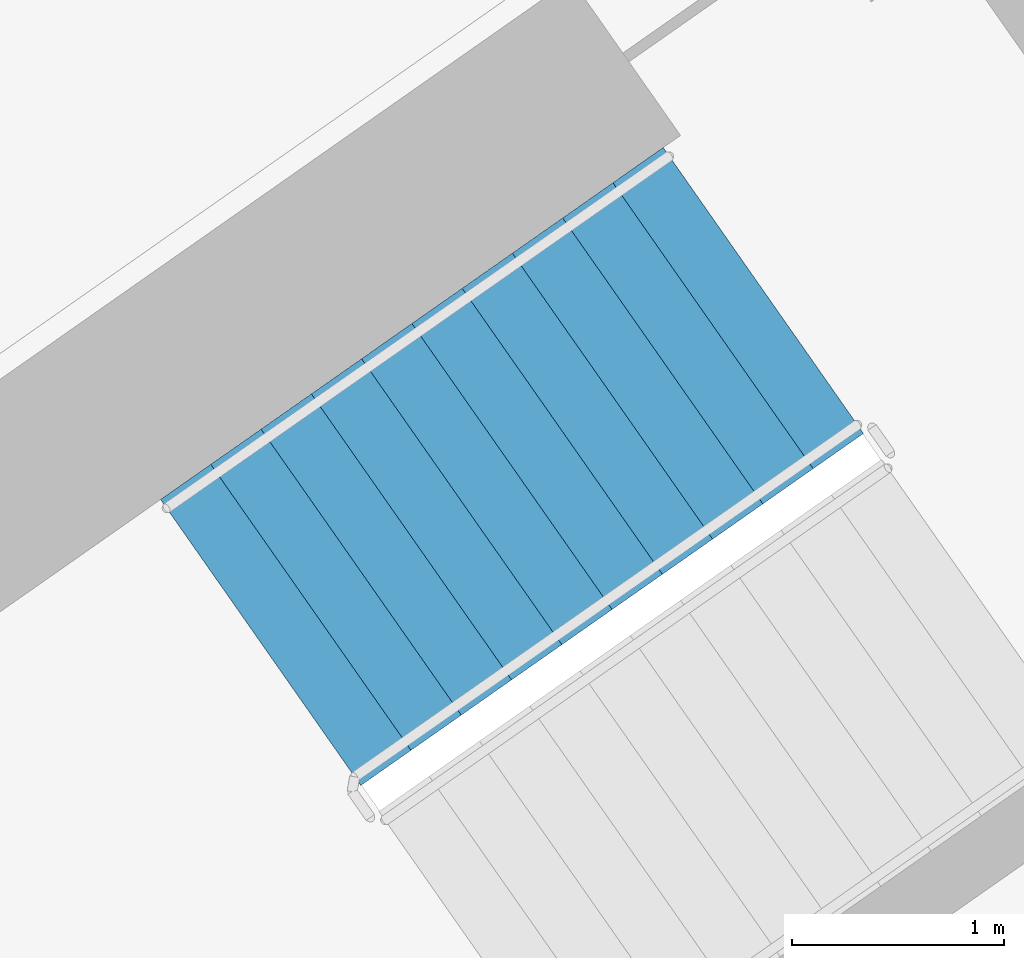
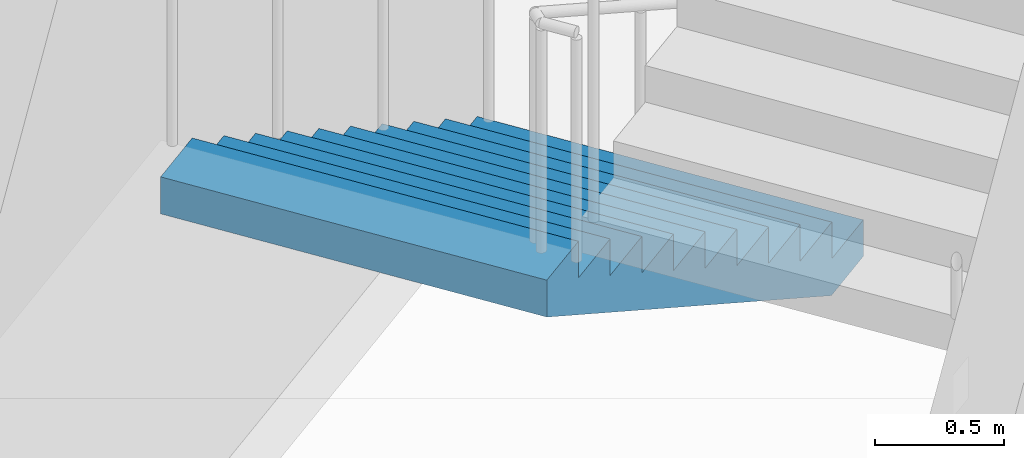
# One storey, part 15 of 30: 1 stair flight, 1 element without a shape of its own.
"""IFC4 building model written with IfcOpenShell, lengths in metres."""

import ifcopenshell
import ifcopenshell.guid

model = None  # the IFC model being written
_history = None  # IfcOwnerHistory: only IFC2X3 demands one
_inside = {}  # id of a spatial element -> (the spatial element, [elements in it])
_under = {}  # id of a project, library or spatial element -> (it, [spatial elements below it])
_declared = {}  # id of a project -> (the project, [libraries it declares])
_typed = {}  # id of a type object -> (the type object, [elements of that type])
_made_of = {}  # id of a material, layer set ... -> (it, [elements and type objects made of it])


def new_model(schema):
    """Start an empty IFC model of exactly this schema.

    Asked for "IFC4X3", IfcOpenShell would pick the latest addendum, in which some entities
    have other attributes; the version numbers below select the first issue.
    IFC2X3 requires an IfcOwnerHistory on every rooted entity: one is made here for all.
    """
    global model, _history
    if schema == "IFC4X3":
        model = ifcopenshell.file(schema_version=(4, 3, 0, 0))
    else:
        model = ifcopenshell.file(schema=schema)
    _inside.clear()
    _under.clear()
    _declared.clear()
    _typed.clear()
    _made_of.clear()
    _history = None
    if model.schema == "IFC2X3":
        org = make("IfcOrganization", Name="unknown")
        user = make(
            "IfcPersonAndOrganization",
            ThePerson=make("IfcPerson", FamilyName="unknown"),
            TheOrganization=org,
        )
        app = make(
            "IfcApplication",
            ApplicationDeveloper=org,
            Version="unknown",
            ApplicationFullName="unknown",
            ApplicationIdentifier="unknown",
        )
        _history = make(
            "IfcOwnerHistory",
            OwningUser=user,
            OwningApplication=app,
            ChangeAction="ADDED",
            CreationDate=0,
        )
    return model


def make(cls, **values):
    """One entity of the class cls with the attributes given. An attribute that is None is left unset."""
    return model.create_entity(
        cls, **{name: value for name, value in values.items() if value is not None}
    )


def rooted(cls, **values):
    """An entity with a GlobalId (a new one), such as an element, a storey or a relation."""
    return make(cls, GlobalId=ifcopenshell.guid.new(), OwnerHistory=_history, **values)


def si_unit(unit_type, name, prefix=None):
    """IfcSIUnit, for example si_unit("LENGTHUNIT", "METRE", prefix="MILLI")."""
    return make("IfcSIUnit", UnitType=unit_type, Prefix=prefix, Name=name)


def assignment(units):
    """IfcUnitAssignment: the units of a project."""
    return None if units is None else make("IfcUnitAssignment", Units=units)


def point(xyz):
    """IfcCartesianPoint."""
    return None if xyz is None else make("IfcCartesianPoint", Coordinates=xyz)


def direction(xyz):
    """IfcDirection."""
    return None if xyz is None else make("IfcDirection", DirectionRatios=xyz)


def frame(location, z_axis=None, x_axis=None):
    """IfcAxis2Placement3D, a coordinate frame: its origin and axes. An axis left out is left unset."""
    return make(
        "IfcAxis2Placement3D",
        Location=point(location),
        Axis=direction(z_axis),
        RefDirection=direction(x_axis),
    )


def origin():
    """The frame at (0, 0, 0) with its axes left unset."""
    return frame((0.0, 0.0, 0.0))


def place(relative_to, where):
    """IfcLocalPlacement: puts the frame where relative to a parent placement (None: the world)."""
    return make(
        "IfcLocalPlacement", PlacementRelTo=relative_to, RelativePlacement=where
    )


def context(
    kind, dimensions, precision=None, world=None, true_north=None, identifier=None
):
    """IfcGeometricRepresentationContext, for example the 3D "Model" context."""
    return make(
        "IfcGeometricRepresentationContext",
        ContextIdentifier=identifier,
        ContextType=kind,
        CoordinateSpaceDimension=dimensions,
        Precision=precision,
        WorldCoordinateSystem=world,
        TrueNorth=true_north,
    )


def subcontext(parent, identifier, kind, view, scale=None):
    """IfcGeometricRepresentationSubContext, for example "Body" below "Model"."""
    return make(
        "IfcGeometricRepresentationSubContext",
        ContextIdentifier=identifier,
        ContextType=kind,
        ParentContext=parent,
        TargetScale=scale,
        TargetView=view,
    )


def project(units=None, contexts=None):
    """IfcProject with its units and contexts."""
    return rooted(
        "IfcProject",
        Name="project",
        RepresentationContexts=contexts,
        UnitsInContext=assignment(units),
    )


def spatial(cls, under=None, at=None, **own):
    """A site, building, storey or space (cls), placed at a placement, below another one or the project."""
    s = rooted(cls, ObjectPlacement=at, **own)
    if under is not None:
        _under.setdefault(under.id(), (under, []))[1].append(s)
    return s


def faces_of(points, faces, orient=None, outer=None):
    """IfcFace entities. A face is a list of loops; a loop is a list of indices into points, from 0.

    orient and outer hold one flag for each loop. By default every Orientation is true, the
    first loop of a face is its IfcFaceOuterBound and the others are IfcFaceBound.
    """
    made = []
    for i, loops in enumerate(faces):
        bounds = []
        for j, loop in enumerate(loops):
            is_outer = j == 0 if outer is None else outer[i][j]
            bounds.append(
                make(
                    "IfcFaceOuterBound" if is_outer else "IfcFaceBound",
                    Bound=make("IfcPolyLoop", Polygon=[points[k] for k in loop]),
                    Orientation=True if orient is None else orient[i][j],
                )
            )
        made.append(make("IfcFace", Bounds=bounds))
    return made


def faceted_brep(points, faces, orient=None, outer=None, voids=None):
    """IfcFacetedBrep: a solid bounded by flat faces; with voids (closed shells), ...WithVoids."""
    shared = [point(p) for p in points]
    hull = make("IfcClosedShell", CfsFaces=faces_of(shared, faces, orient, outer))
    if voids is None:
        return make("IfcFacetedBrep", Outer=hull)
    return make(
        "IfcFacetedBrepWithVoids",
        Outer=hull,
        Voids=[
            make(cls, CfsFaces=faces_of(shared, fs, o, b)) for cls, fs, o, b in voids
        ],
    )


def shape(context_of_items, identifier, shape_type, items):
    """IfcShapeRepresentation: the items that make up one representation, for example the "Body"."""
    return make(
        "IfcShapeRepresentation",
        ContextOfItems=context_of_items,
        RepresentationIdentifier=identifier,
        RepresentationType=shape_type,
        Items=items,
    )


def material(Name=None, Category=None):
    """IfcMaterial."""
    return make("IfcMaterial", Name=Name, Category=Category)


def made_of(thing, what):
    """Note that an element or type object is made of a material, layer set ...; save() writes the relation."""
    if what is not None:
        _made_of.setdefault(what.id(), (what, []))[1].append(thing)
    return thing


def type_object(cls, material=None, **own):
    """A type object (cls), such as IfcWallType, which elements share."""
    return made_of(rooted(cls, **own), material)


def element(
    cls,
    number,
    at=None,
    inside=None,
    cuts=None,
    type_object=None,
    material=None,
    context=None,
    identifier="Body",
    shape_type=None,
    held_by="IfcProductDefinitionShape",
    body=None,
    shapes=None,
    **own,
):
    """One element of the class cls, such as IfcWall. Its Tag is "e" and its number.

    at: its placement. inside: the storey or other place that contains it. cuts: it is an
    opening in that element (IfcRelVoidsElement). A single representation is given by context,
    identifier, shape_type and body (its items); several are given by shapes. held_by: the class
    of the entity that holds the representations. save() writes the other relations.
    """
    e = rooted(cls, Tag="e%d" % number, ObjectPlacement=at, **own)
    if body is not None:
        shapes = [shape(context, identifier, shape_type, body)]
    if shapes is not None:
        e.Representation = make(held_by, Representations=shapes)
    if inside is not None:
        _inside.setdefault(inside.id(), (inside, []))[1].append(e)
    if cuts is not None:
        rooted(
            "IfcRelVoidsElement", RelatingBuildingElement=cuts, RelatedOpeningElement=e
        )
    if type_object is not None:
        _typed.setdefault(type_object.id(), (type_object, []))[1].append(e)
    return made_of(e, material)


def aggregate(whole, parts):
    """IfcRelAggregates: a whole, such as a stair, and the parts it consists of."""
    return rooted("IfcRelAggregates", RelatingObject=whole, RelatedObjects=parts)


def save(model, path):
    """Write the relations noted so far, then the file.

    IfcRelAggregates (storeys below a building ...), IfcRelContainedInSpatialStructure (elements
    in a storey), IfcRelDefinesByType, IfcRelAssociatesMaterial and IfcRelDeclares: one each for
    every whole, place, type object, material and project.
    """
    for whole, parts in _under.values():
        aggregate(whole, parts)
    for where, things in _inside.values():
        rooted(
            "IfcRelContainedInSpatialStructure",
            RelatedElements=things,
            RelatingStructure=where,
        )
    for kind, things in _typed.values():
        rooted("IfcRelDefinesByType", RelatedObjects=things, RelatingType=kind)
    for what, things in _made_of.values():
        rooted("IfcRelAssociatesMaterial", RelatedObjects=things, RelatingMaterial=what)
    for by, libraries in _declared.values():
        rooted("IfcRelDeclares", RelatingContext=by, RelatedDefinitions=libraries)
    model.write(path)


model = new_model("IFC4")

# Units and contexts
model_context = context("Model", 3, precision=1e-05, world=origin(), true_north=direction((0.0, 1.0)))
body_context = subcontext(model_context, "Body", "Model", "MODEL_VIEW")
ifc_project = project(units=[si_unit("LENGTHUNIT", "METRE"), si_unit("AREAUNIT", "SQUARE_METRE"), si_unit("VOLUMEUNIT", "CUBIC_METRE"), si_unit("PLANEANGLEUNIT", "RADIAN"), si_unit("MASSUNIT", "GRAM", prefix="KILO")], contexts=[model_context])

# Site, building, storey
site_placement = place(None, origin())
site = spatial("IfcSite", under=ifc_project, at=site_placement, CompositionType="ELEMENT")
building_placement = place(site_placement, origin())
building = spatial("IfcBuilding", under=site, at=building_placement, Name="Qamariyya Broadcast Tower", CompositionType="ELEMENT")
storey_placement = place(building_placement, frame((0.0, 0.0, 117.699951171875)))
storey = spatial("IfcBuildingStorey", under=building, at=storey_placement, Name="L26", CompositionType="ELEMENT", Elevation=117.699951171875)

# Stair, stair flight
ifc_material = material(Name="Concrete C50/60", Category="concrete")
stair_type = type_object("IfcStairType", Name="Exit stair 22 risers of 173 mm", PredefinedType="HALF_TURN_STAIR", material=ifc_material)
stair_placement = place(storey_placement, origin())
stair = element("IfcStair", 1, at=stair_placement, inside=storey, type_object=stair_type, Name="L26 Stair E2", PredefinedType="HALF_TURN_STAIR")
stair_flight_type = type_object("IfcStairFlightType", Name="Exit stair flight 11 risers of 173 mm", PredefinedType="STRAIGHT", material=ifc_material)
stair_flight_placement = place(storey_placement, frame((40.558837890625, -47.685302734375, 0.0), z_axis=(0.0, 0.0, 1.0), x_axis=(-0.819152044289, -0.573576436351, 0.0)))
stair_flight = element("IfcStairFlight", 2, at=stair_flight_placement, type_object=stair_flight_type, Name="ST-E2 flight 1", NumberOfRisers=11, NumberOfTreads=10, PredefinedType="STRAIGHT", RiserHeight=0.172727273, TreadLength=0.29, context=body_context, shape_type="Brep", body=[
    faceted_brep([(0.0, 0.824951171875, 0.0), (0.0, 0.824951171875, 0.172607421875), (0.2900390625, 0.824951171875, 0.172607421875), (0.2900390625, 0.824951171875, 0.345458984375), (0.580078125, 0.824951171875, 0.345458984375), (0.580078125, 0.824951171875, 0.51806640625), (0.8701171875, 0.824951171875, 0.51806640625), (0.8701171875, 0.824951171875, 0.69091796875), (1.159912109375, 0.824951171875, 0.69091796875), (1.159912109375, 0.824951171875, 0.863525390625), (1.449951171875, 0.824951171875, 0.863525390625), (1.449951171875, 0.824951171875, 1.036376953125), (1.739990234375, 0.824951171875, 1.036376953125), (1.739990234375, 0.824951171875, 1.208984375), (2.030029296875, 0.824951171875, 1.208984375), (2.030029296875, 0.824951171875, 1.3818359375), (2.320068359375, 0.824951171875, 1.3818359375), (2.320068359375, 0.824951171875, 1.554443359375), (2.610107421875, 0.824951171875, 1.554443359375), (2.610107421875, 0.824951171875, 1.727294921875), (2.89990234375, 0.824951171875, 1.727294921875), (2.89990234375, 0.824951171875, 1.552734375), (0.29296875, 0.824951171875, 0.0), (0.29296875, -0.824951171875, 0.0), (2.89990234375, -0.824951171875, 1.552734375), (2.89990234375, -0.824951171875, 1.727294921875), (2.610107421875, -0.824951171875, 1.727294921875), (2.610107421875, -0.824951171875, 1.554443359375), (2.320068359375, -0.824951171875, 1.554443359375), (2.320068359375, -0.824951171875, 1.3818359375), (2.030029296875, -0.824951171875, 1.3818359375), (2.030029296875, -0.824951171875, 1.208984375), (1.739990234375, -0.824951171875, 1.208984375), (1.739990234375, -0.824951171875, 1.036376953125), (1.449951171875, -0.824951171875, 1.036376953125), (1.449951171875, -0.824951171875, 0.863525390625), (1.159912109375, -0.824951171875, 0.863525390625), (1.159912109375, -0.824951171875, 0.69091796875), (0.8701171875, -0.824951171875, 0.69091796875), (0.8701171875, -0.824951171875, 0.51806640625), (0.580078125, -0.824951171875, 0.51806640625), (0.580078125, -0.824951171875, 0.345458984375), (0.2900390625, -0.824951171875, 0.345458984375), (0.2900390625, -0.824951171875, 0.172607421875), (0.0, -0.824951171875, 0.172607421875), (0.0, -0.824951171875, 0.0), (0.0, 0.10009765625, 0.0), (0.0, 0.086669921875, 0.0), (0.0, 0.0732421875, 0.0), (0.0, 0.06005859375, 0.0), (0.0, 0.046630859375, 0.0), (0.0, 0.033447265625, 0.0), (0.0, 0.02001953125, 0.0), (0.0, 0.006591796875, 0.0), (0.0, -0.006591796875, 0.0), (0.0, -0.02001953125, 0.0), (0.0, -0.033447265625, 0.0), (0.0, -0.046630859375, 0.0), (0.0, -0.06005859375, 0.0), (0.0, -0.0732421875, 0.0), (0.0, -0.086669921875, 0.0), (0.0, -0.10009765625, 0.0), (0.0, -0.10009765625, 0.172607421875), (0.0, -0.086669921875, 0.172607421875), (0.0, -0.0732421875, 0.172607421875), (0.0, -0.06005859375, 0.172607421875), (0.0, -0.046630859375, 0.172607421875), (0.0, -0.033447265625, 0.172607421875), (0.0, -0.02001953125, 0.172607421875), (0.0, -0.006591796875, 0.172607421875), (0.0, 0.006591796875, 0.172607421875), (0.0, 0.02001953125, 0.172607421875), (0.0, 0.033447265625, 0.172607421875), (0.0, 0.046630859375, 0.172607421875), (0.0, 0.06005859375, 0.172607421875), (0.0, 0.0732421875, 0.172607421875), (0.0, 0.086669921875, 0.172607421875), (0.0, 0.10009765625, 0.172607421875), (0.2900390625, -0.10009765625, 0.172607421875), (0.2900390625, -0.086669921875, 0.172607421875), (0.2900390625, -0.0732421875, 0.172607421875), (0.2900390625, -0.06005859375, 0.172607421875), (0.2900390625, -0.046630859375, 0.172607421875), (0.2900390625, -0.033447265625, 0.172607421875), (0.2900390625, -0.02001953125, 0.172607421875), (0.2900390625, -0.006591796875, 0.172607421875), (0.2900390625, 0.006591796875, 0.172607421875), (0.2900390625, 0.02001953125, 0.172607421875), (0.2900390625, 0.033447265625, 0.172607421875), (0.2900390625, 0.046630859375, 0.172607421875), (0.2900390625, 0.06005859375, 0.172607421875), (0.2900390625, 0.0732421875, 0.172607421875), (0.2900390625, 0.086669921875, 0.172607421875), (0.2900390625, 0.10009765625, 0.172607421875), (0.2900390625, -0.10009765625, 0.345458984375), (0.2900390625, -0.086669921875, 0.345458984375), (0.2900390625, -0.0732421875, 0.345458984375), (0.2900390625, -0.06005859375, 0.345458984375), (0.2900390625, -0.046630859375, 0.345458984375), (0.2900390625, -0.033447265625, 0.345458984375), (0.2900390625, -0.02001953125, 0.345458984375), (0.2900390625, -0.006591796875, 0.345458984375), (0.2900390625, 0.006591796875, 0.345458984375), (0.2900390625, 0.02001953125, 0.345458984375), (0.2900390625, 0.033447265625, 0.345458984375), (0.2900390625, 0.046630859375, 0.345458984375), (0.2900390625, 0.06005859375, 0.345458984375), (0.2900390625, 0.0732421875, 0.345458984375), (0.2900390625, 0.086669921875, 0.345458984375), (0.2900390625, 0.10009765625, 0.345458984375), (0.580078125, -0.10009765625, 0.345458984375), (0.580078125, -0.086669921875, 0.345458984375), (0.580078125, -0.0732421875, 0.345458984375), (0.580078125, -0.06005859375, 0.345458984375), (0.580078125, -0.046630859375, 0.345458984375), (0.580078125, -0.033447265625, 0.345458984375), (0.580078125, -0.02001953125, 0.345458984375), (0.580078125, -0.006591796875, 0.345458984375), (0.580078125, 0.006591796875, 0.345458984375), (0.580078125, 0.02001953125, 0.345458984375), (0.580078125, 0.033447265625, 0.345458984375), (0.580078125, 0.046630859375, 0.345458984375), (0.580078125, 0.06005859375, 0.345458984375), (0.580078125, 0.0732421875, 0.345458984375), (0.580078125, 0.086669921875, 0.345458984375), (0.580078125, 0.10009765625, 0.345458984375), (0.580078125, -0.10009765625, 0.51806640625), (0.580078125, -0.086669921875, 0.51806640625), (0.580078125, -0.0732421875, 0.51806640625), (0.580078125, -0.06005859375, 0.51806640625), (0.580078125, -0.046630859375, 0.51806640625), (0.580078125, -0.033447265625, 0.51806640625), (0.580078125, -0.02001953125, 0.51806640625), (0.580078125, -0.006591796875, 0.51806640625), (0.580078125, 0.006591796875, 0.51806640625), (0.580078125, 0.02001953125, 0.51806640625), (0.580078125, 0.033447265625, 0.51806640625), (0.580078125, 0.046630859375, 0.51806640625), (0.580078125, 0.06005859375, 0.51806640625), (0.580078125, 0.0732421875, 0.51806640625), (0.580078125, 0.086669921875, 0.51806640625), (0.580078125, 0.10009765625, 0.51806640625), (0.8701171875, -0.10009765625, 0.51806640625), (0.8701171875, -0.086669921875, 0.51806640625), (0.8701171875, -0.0732421875, 0.51806640625), (0.8701171875, -0.06005859375, 0.51806640625), (0.8701171875, -0.046630859375, 0.51806640625), (0.8701171875, -0.033447265625, 0.51806640625), (0.8701171875, -0.02001953125, 0.51806640625), (0.8701171875, -0.006591796875, 0.51806640625), (0.8701171875, 0.006591796875, 0.51806640625), (0.8701171875, 0.02001953125, 0.51806640625), (0.8701171875, 0.033447265625, 0.51806640625), (0.8701171875, 0.046630859375, 0.51806640625), (0.8701171875, 0.06005859375, 0.51806640625), (0.8701171875, 0.0732421875, 0.51806640625), (0.8701171875, 0.086669921875, 0.51806640625), (0.8701171875, 0.10009765625, 0.51806640625), (0.8701171875, -0.10009765625, 0.69091796875), (0.8701171875, -0.086669921875, 0.69091796875), (0.8701171875, -0.0732421875, 0.69091796875), (0.8701171875, -0.06005859375, 0.69091796875), (0.8701171875, -0.046630859375, 0.69091796875), (0.8701171875, -0.033447265625, 0.69091796875), (0.8701171875, -0.02001953125, 0.69091796875), (0.8701171875, -0.006591796875, 0.69091796875), (0.8701171875, 0.006591796875, 0.69091796875), (0.8701171875, 0.02001953125, 0.69091796875), (0.8701171875, 0.033447265625, 0.69091796875), (0.8701171875, 0.046630859375, 0.69091796875), (0.8701171875, 0.06005859375, 0.69091796875), (0.8701171875, 0.0732421875, 0.69091796875), (0.8701171875, 0.086669921875, 0.69091796875), (0.8701171875, 0.10009765625, 0.69091796875), (1.159912109375, -0.10009765625, 0.69091796875), (1.159912109375, -0.086669921875, 0.69091796875), (1.159912109375, -0.0732421875, 0.69091796875), (1.159912109375, -0.06005859375, 0.69091796875), (1.159912109375, -0.046630859375, 0.69091796875), (1.159912109375, -0.033447265625, 0.69091796875), (1.159912109375, -0.02001953125, 0.69091796875), (1.159912109375, -0.006591796875, 0.69091796875), (1.159912109375, 0.006591796875, 0.69091796875), (1.159912109375, 0.02001953125, 0.69091796875), (1.159912109375, 0.033447265625, 0.69091796875), (1.159912109375, 0.046630859375, 0.69091796875), (1.159912109375, 0.06005859375, 0.69091796875), (1.159912109375, 0.0732421875, 0.69091796875), (1.159912109375, 0.086669921875, 0.69091796875), (1.159912109375, 0.10009765625, 0.69091796875), (1.159912109375, -0.10009765625, 0.863525390625), (1.159912109375, -0.086669921875, 0.863525390625), (1.159912109375, -0.0732421875, 0.863525390625), (1.159912109375, -0.06005859375, 0.863525390625), (1.159912109375, -0.046630859375, 0.863525390625), (1.159912109375, -0.033447265625, 0.863525390625), (1.159912109375, -0.02001953125, 0.863525390625), (1.159912109375, -0.006591796875, 0.863525390625), (1.159912109375, 0.006591796875, 0.863525390625), (1.159912109375, 0.02001953125, 0.863525390625), (1.159912109375, 0.033447265625, 0.863525390625), (1.159912109375, 0.046630859375, 0.863525390625), (1.159912109375, 0.06005859375, 0.863525390625), (1.159912109375, 0.0732421875, 0.863525390625), (1.159912109375, 0.086669921875, 0.863525390625), (1.159912109375, 0.10009765625, 0.863525390625), (1.449951171875, -0.10009765625, 0.863525390625), (1.449951171875, -0.086669921875, 0.863525390625), (1.449951171875, -0.0732421875, 0.863525390625), (1.449951171875, -0.06005859375, 0.863525390625), (1.449951171875, -0.046630859375, 0.863525390625), (1.449951171875, -0.033447265625, 0.863525390625), (1.449951171875, -0.02001953125, 0.863525390625), (1.449951171875, -0.006591796875, 0.863525390625), (1.449951171875, 0.006591796875, 0.863525390625), (1.449951171875, 0.02001953125, 0.863525390625), (1.449951171875, 0.033447265625, 0.863525390625), (1.449951171875, 0.046630859375, 0.863525390625), (1.449951171875, 0.06005859375, 0.863525390625), (1.449951171875, 0.0732421875, 0.863525390625), (1.449951171875, 0.086669921875, 0.863525390625), (1.449951171875, 0.10009765625, 0.863525390625), (1.449951171875, -0.10009765625, 1.036376953125), (1.449951171875, -0.086669921875, 1.036376953125), (1.449951171875, -0.0732421875, 1.036376953125), (1.449951171875, -0.06005859375, 1.036376953125), (1.449951171875, -0.046630859375, 1.036376953125), (1.449951171875, -0.033447265625, 1.036376953125), (1.449951171875, -0.02001953125, 1.036376953125), (1.449951171875, -0.006591796875, 1.036376953125), (1.449951171875, 0.006591796875, 1.036376953125), (1.449951171875, 0.02001953125, 1.036376953125), (1.449951171875, 0.033447265625, 1.036376953125), (1.449951171875, 0.046630859375, 1.036376953125), (1.449951171875, 0.06005859375, 1.036376953125), (1.449951171875, 0.0732421875, 1.036376953125), (1.449951171875, 0.086669921875, 1.036376953125), (1.449951171875, 0.10009765625, 1.036376953125), (1.739990234375, -0.10009765625, 1.036376953125), (1.739990234375, -0.086669921875, 1.036376953125), (1.739990234375, -0.0732421875, 1.036376953125), (1.739990234375, -0.06005859375, 1.036376953125), (1.739990234375, -0.046630859375, 1.036376953125), (1.739990234375, -0.033447265625, 1.036376953125), (1.739990234375, -0.02001953125, 1.036376953125), (1.739990234375, -0.006591796875, 1.036376953125), (1.739990234375, 0.006591796875, 1.036376953125), (1.739990234375, 0.02001953125, 1.036376953125), (1.739990234375, 0.033447265625, 1.036376953125), (1.739990234375, 0.046630859375, 1.036376953125), (1.739990234375, 0.06005859375, 1.036376953125), (1.739990234375, 0.0732421875, 1.036376953125), (1.739990234375, 0.086669921875, 1.036376953125), (1.739990234375, 0.10009765625, 1.036376953125), (1.739990234375, -0.10009765625, 1.208984375), (1.739990234375, -0.086669921875, 1.208984375), (1.739990234375, -0.0732421875, 1.208984375), (1.739990234375, -0.06005859375, 1.208984375), (1.739990234375, -0.046630859375, 1.208984375), (1.739990234375, -0.033447265625, 1.208984375), (1.739990234375, -0.02001953125, 1.208984375), (1.739990234375, -0.006591796875, 1.208984375), (1.739990234375, 0.006591796875, 1.208984375), (1.739990234375, 0.02001953125, 1.208984375), (1.739990234375, 0.033447265625, 1.208984375), (1.739990234375, 0.046630859375, 1.208984375), (1.739990234375, 0.06005859375, 1.208984375), (1.739990234375, 0.0732421875, 1.208984375), (1.739990234375, 0.086669921875, 1.208984375), (1.739990234375, 0.10009765625, 1.208984375), (2.030029296875, -0.10009765625, 1.208984375), (2.030029296875, -0.086669921875, 1.208984375), (2.030029296875, -0.0732421875, 1.208984375), (2.030029296875, -0.06005859375, 1.208984375), (2.030029296875, -0.046630859375, 1.208984375), (2.030029296875, -0.033447265625, 1.208984375), (2.030029296875, -0.02001953125, 1.208984375), (2.030029296875, -0.006591796875, 1.208984375), (2.030029296875, 0.006591796875, 1.208984375), (2.030029296875, 0.02001953125, 1.208984375), (2.030029296875, 0.033447265625, 1.208984375), (2.030029296875, 0.046630859375, 1.208984375), (2.030029296875, 0.06005859375, 1.208984375), (2.030029296875, 0.0732421875, 1.208984375), (2.030029296875, 0.086669921875, 1.208984375), (2.030029296875, 0.10009765625, 1.208984375), (2.030029296875, -0.10009765625, 1.3818359375), (2.030029296875, -0.086669921875, 1.3818359375), (2.030029296875, -0.0732421875, 1.3818359375), (2.030029296875, -0.06005859375, 1.3818359375), (2.030029296875, -0.046630859375, 1.3818359375), (2.030029296875, -0.033447265625, 1.3818359375), (2.030029296875, -0.02001953125, 1.3818359375), (2.030029296875, -0.006591796875, 1.3818359375), (2.030029296875, 0.006591796875, 1.3818359375), (2.030029296875, 0.02001953125, 1.3818359375), (2.030029296875, 0.033447265625, 1.3818359375), (2.030029296875, 0.046630859375, 1.3818359375), (2.030029296875, 0.06005859375, 1.3818359375), (2.030029296875, 0.0732421875, 1.3818359375), (2.030029296875, 0.086669921875, 1.3818359375), (2.030029296875, 0.10009765625, 1.3818359375), (2.320068359375, -0.10009765625, 1.3818359375), (2.320068359375, -0.086669921875, 1.3818359375), (2.320068359375, -0.0732421875, 1.3818359375), (2.320068359375, -0.06005859375, 1.3818359375), (2.320068359375, -0.046630859375, 1.3818359375), (2.320068359375, -0.033447265625, 1.3818359375), (2.320068359375, -0.02001953125, 1.3818359375), (2.320068359375, -0.006591796875, 1.3818359375), (2.320068359375, 0.006591796875, 1.3818359375), (2.320068359375, 0.02001953125, 1.3818359375), (2.320068359375, 0.033447265625, 1.3818359375), (2.320068359375, 0.046630859375, 1.3818359375), (2.320068359375, 0.06005859375, 1.3818359375), (2.320068359375, 0.0732421875, 1.3818359375), (2.320068359375, 0.086669921875, 1.3818359375), (2.320068359375, 0.10009765625, 1.3818359375), (2.320068359375, -0.10009765625, 1.554443359375), (2.320068359375, -0.086669921875, 1.554443359375), (2.320068359375, -0.0732421875, 1.554443359375), (2.320068359375, -0.06005859375, 1.554443359375), (2.320068359375, -0.046630859375, 1.554443359375), (2.320068359375, -0.033447265625, 1.554443359375), (2.320068359375, -0.02001953125, 1.554443359375), (2.320068359375, -0.006591796875, 1.554443359375), (2.320068359375, 0.006591796875, 1.554443359375), (2.320068359375, 0.02001953125, 1.554443359375), (2.320068359375, 0.033447265625, 1.554443359375), (2.320068359375, 0.046630859375, 1.554443359375), (2.320068359375, 0.06005859375, 1.554443359375), (2.320068359375, 0.0732421875, 1.554443359375), (2.320068359375, 0.086669921875, 1.554443359375), (2.320068359375, 0.10009765625, 1.554443359375), (2.610107421875, -0.10009765625, 1.554443359375), (2.610107421875, -0.086669921875, 1.554443359375), (2.610107421875, -0.0732421875, 1.554443359375), (2.610107421875, -0.06005859375, 1.554443359375), (2.610107421875, -0.046630859375, 1.554443359375), (2.610107421875, -0.033447265625, 1.554443359375), (2.610107421875, -0.02001953125, 1.554443359375), (2.610107421875, -0.006591796875, 1.554443359375), (2.610107421875, 0.006591796875, 1.554443359375), (2.610107421875, 0.02001953125, 1.554443359375), (2.610107421875, 0.033447265625, 1.554443359375), (2.610107421875, 0.046630859375, 1.554443359375), (2.610107421875, 0.06005859375, 1.554443359375), (2.610107421875, 0.0732421875, 1.554443359375), (2.610107421875, 0.086669921875, 1.554443359375), (2.610107421875, 0.10009765625, 1.554443359375), (2.610107421875, -0.10009765625, 1.727294921875), (2.610107421875, -0.086669921875, 1.727294921875), (2.610107421875, -0.0732421875, 1.727294921875), (2.610107421875, -0.06005859375, 1.727294921875), (2.610107421875, -0.046630859375, 1.727294921875), (2.610107421875, -0.033447265625, 1.727294921875), (2.610107421875, -0.02001953125, 1.727294921875), (2.610107421875, -0.006591796875, 1.727294921875), (2.610107421875, 0.006591796875, 1.727294921875), (2.610107421875, 0.02001953125, 1.727294921875), (2.610107421875, 0.033447265625, 1.727294921875), (2.610107421875, 0.046630859375, 1.727294921875), (2.610107421875, 0.06005859375, 1.727294921875), (2.610107421875, 0.0732421875, 1.727294921875), (2.610107421875, 0.086669921875, 1.727294921875), (2.610107421875, 0.10009765625, 1.727294921875), (2.89990234375, -0.10009765625, 1.727294921875), (2.89990234375, -0.086669921875, 1.727294921875), (2.89990234375, -0.0732421875, 1.727294921875), (2.89990234375, -0.06005859375, 1.727294921875), (2.89990234375, -0.046630859375, 1.727294921875), (2.89990234375, -0.033447265625, 1.727294921875), (2.89990234375, -0.02001953125, 1.727294921875), (2.89990234375, -0.006591796875, 1.727294921875), (2.89990234375, 0.006591796875, 1.727294921875), (2.89990234375, 0.02001953125, 1.727294921875), (2.89990234375, 0.033447265625, 1.727294921875), (2.89990234375, 0.046630859375, 1.727294921875), (2.89990234375, 0.06005859375, 1.727294921875), (2.89990234375, 0.0732421875, 1.727294921875), (2.89990234375, 0.086669921875, 1.727294921875), (2.89990234375, 0.10009765625, 1.727294921875), (2.89990234375, -0.10009765625, 1.552734375), (2.89990234375, -0.086669921875, 1.552734375), (2.89990234375, -0.0732421875, 1.552734375), (2.89990234375, -0.06005859375, 1.552734375), (2.89990234375, -0.046630859375, 1.552734375), (2.89990234375, -0.033447265625, 1.552734375), (2.89990234375, -0.02001953125, 1.552734375), (2.89990234375, -0.006591796875, 1.552734375), (2.89990234375, 0.006591796875, 1.552734375), (2.89990234375, 0.02001953125, 1.552734375), (2.89990234375, 0.033447265625, 1.552734375), (2.89990234375, 0.046630859375, 1.552734375), (2.89990234375, 0.06005859375, 1.552734375), (2.89990234375, 0.0732421875, 1.552734375), (2.89990234375, 0.086669921875, 1.552734375), (2.89990234375, 0.10009765625, 1.552734375), (0.29296875, -0.10009765625, 0.0), (0.29296875, -0.086669921875, 0.0), (0.29296875, -0.0732421875, 0.0), (0.29296875, -0.06005859375, 0.0), (0.29296875, -0.046630859375, 0.0), (0.29296875, -0.033447265625, 0.0), (0.29296875, -0.02001953125, 0.0), (0.29296875, -0.006591796875, 0.0), (0.29296875, 0.006591796875, 0.0), (0.29296875, 0.02001953125, 0.0), (0.29296875, 0.033447265625, 0.0), (0.29296875, 0.046630859375, 0.0), (0.29296875, 0.06005859375, 0.0), (0.29296875, 0.0732421875, 0.0), (0.29296875, 0.086669921875, 0.0), (0.29296875, 0.10009765625, 0.0)], [[[0, 1, 2, 3, 4, 5, 6, 7, 8, 9, 10, 11, 12, 13, 14, 15, 16, 17, 18, 19, 20, 21, 22]], [[23, 24, 25, 26, 27, 28, 29, 30, 31, 32, 33, 34, 35, 36, 37, 38, 39, 40, 41, 42, 43, 44, 45]], [[0, 46, 47, 48, 49, 50, 51, 52, 53, 54, 55, 56, 57, 58, 59, 60, 61, 45, 44, 62, 63, 64, 65, 66, 67, 68, 69, 70, 71, 72, 73, 74, 75, 76, 77, 1]], [[1, 77, 76, 75, 74, 73, 72, 71, 70, 69, 68, 67, 66, 65, 64, 63, 62, 44, 43, 78, 79, 80, 81, 82, 83, 84, 85, 86, 87, 88, 89, 90, 91, 92, 93, 2]], [[2, 93, 92, 91, 90, 89, 88, 87, 86, 85, 84, 83, 82, 81, 80, 79, 78, 43, 42, 94, 95, 96, 97, 98, 99, 100, 101, 102, 103, 104, 105, 106, 107, 108, 109, 3]], [[3, 109, 108, 107, 106, 105, 104, 103, 102, 101, 100, 99, 98, 97, 96, 95, 94, 42, 41, 110, 111, 112, 113, 114, 115, 116, 117, 118, 119, 120, 121, 122, 123, 124, 125, 4]], [[4, 125, 124, 123, 122, 121, 120, 119, 118, 117, 116, 115, 114, 113, 112, 111, 110, 41, 40, 126, 127, 128, 129, 130, 131, 132, 133, 134, 135, 136, 137, 138, 139, 140, 141, 5]], [[5, 141, 140, 139, 138, 137, 136, 135, 134, 133, 132, 131, 130, 129, 128, 127, 126, 40, 39, 142, 143, 144, 145, 146, 147, 148, 149, 150, 151, 152, 153, 154, 155, 156, 157, 6]], [[6, 157, 156, 155, 154, 153, 152, 151, 150, 149, 148, 147, 146, 145, 144, 143, 142, 39, 38, 158, 159, 160, 161, 162, 163, 164, 165, 166, 167, 168, 169, 170, 171, 172, 173, 7]], [[7, 173, 172, 171, 170, 169, 168, 167, 166, 165, 164, 163, 162, 161, 160, 159, 158, 38, 37, 174, 175, 176, 177, 178, 179, 180, 181, 182, 183, 184, 185, 186, 187, 188, 189, 8]], [[8, 189, 188, 187, 186, 185, 184, 183, 182, 181, 180, 179, 178, 177, 176, 175, 174, 37, 36, 190, 191, 192, 193, 194, 195, 196, 197, 198, 199, 200, 201, 202, 203, 204, 205, 9]], [[9, 205, 204, 203, 202, 201, 200, 199, 198, 197, 196, 195, 194, 193, 192, 191, 190, 36, 35, 206, 207, 208, 209, 210, 211, 212, 213, 214, 215, 216, 217, 218, 219, 220, 221, 10]], [[10, 221, 220, 219, 218, 217, 216, 215, 214, 213, 212, 211, 210, 209, 208, 207, 206, 35, 34, 222, 223, 224, 225, 226, 227, 228, 229, 230, 231, 232, 233, 234, 235, 236, 237, 11]], [[11, 237, 236, 235, 234, 233, 232, 231, 230, 229, 228, 227, 226, 225, 224, 223, 222, 34, 33, 238, 239, 240, 241, 242, 243, 244, 245, 246, 247, 248, 249, 250, 251, 252, 253, 12]], [[12, 253, 252, 251, 250, 249, 248, 247, 246, 245, 244, 243, 242, 241, 240, 239, 238, 33, 32, 254, 255, 256, 257, 258, 259, 260, 261, 262, 263, 264, 265, 266, 267, 268, 269, 13]], [[13, 269, 268, 267, 266, 265, 264, 263, 262, 261, 260, 259, 258, 257, 256, 255, 254, 32, 31, 270, 271, 272, 273, 274, 275, 276, 277, 278, 279, 280, 281, 282, 283, 284, 285, 14]], [[14, 285, 284, 283, 282, 281, 280, 279, 278, 277, 276, 275, 274, 273, 272, 271, 270, 31, 30, 286, 287, 288, 289, 290, 291, 292, 293, 294, 295, 296, 297, 298, 299, 300, 301, 15]], [[15, 301, 300, 299, 298, 297, 296, 295, 294, 293, 292, 291, 290, 289, 288, 287, 286, 30, 29, 302, 303, 304, 305, 306, 307, 308, 309, 310, 311, 312, 313, 314, 315, 316, 317, 16]], [[16, 317, 316, 315, 314, 313, 312, 311, 310, 309, 308, 307, 306, 305, 304, 303, 302, 29, 28, 318, 319, 320, 321, 322, 323, 324, 325, 326, 327, 328, 329, 330, 331, 332, 333, 17]], [[17, 333, 332, 331, 330, 329, 328, 327, 326, 325, 324, 323, 322, 321, 320, 319, 318, 28, 27, 334, 335, 336, 337, 338, 339, 340, 341, 342, 343, 344, 345, 346, 347, 348, 349, 18]], [[18, 349, 348, 347, 346, 345, 344, 343, 342, 341, 340, 339, 338, 337, 336, 335, 334, 27, 26, 350, 351, 352, 353, 354, 355, 356, 357, 358, 359, 360, 361, 362, 363, 364, 365, 19]], [[19, 365, 364, 363, 362, 361, 360, 359, 358, 357, 356, 355, 354, 353, 352, 351, 350, 26, 25, 366, 367, 368, 369, 370, 371, 372, 373, 374, 375, 376, 377, 378, 379, 380, 381, 20]], [[20, 381, 380, 379, 378, 377, 376, 375, 374, 373, 372, 371, 370, 369, 368, 367, 366, 25, 24, 382, 383, 384, 385, 386, 387, 388, 389, 390, 391, 392, 393, 394, 395, 396, 397, 21]], [[21, 397, 396, 395, 394, 393, 392, 391, 390, 389, 388, 387, 386, 385, 384, 383, 382, 24, 23, 398, 399, 400, 401, 402, 403, 404, 405, 406, 407, 408, 409, 410, 411, 412, 413, 22]], [[22, 413, 412, 411, 410, 409, 408, 407, 406, 405, 404, 403, 402, 401, 400, 399, 398, 23, 45, 61, 60, 59, 58, 57, 56, 55, 54, 53, 52, 51, 50, 49, 48, 47, 46, 0]]]),
])
aggregate(stair, [stair_flight])

save(model, "model.ifc")
